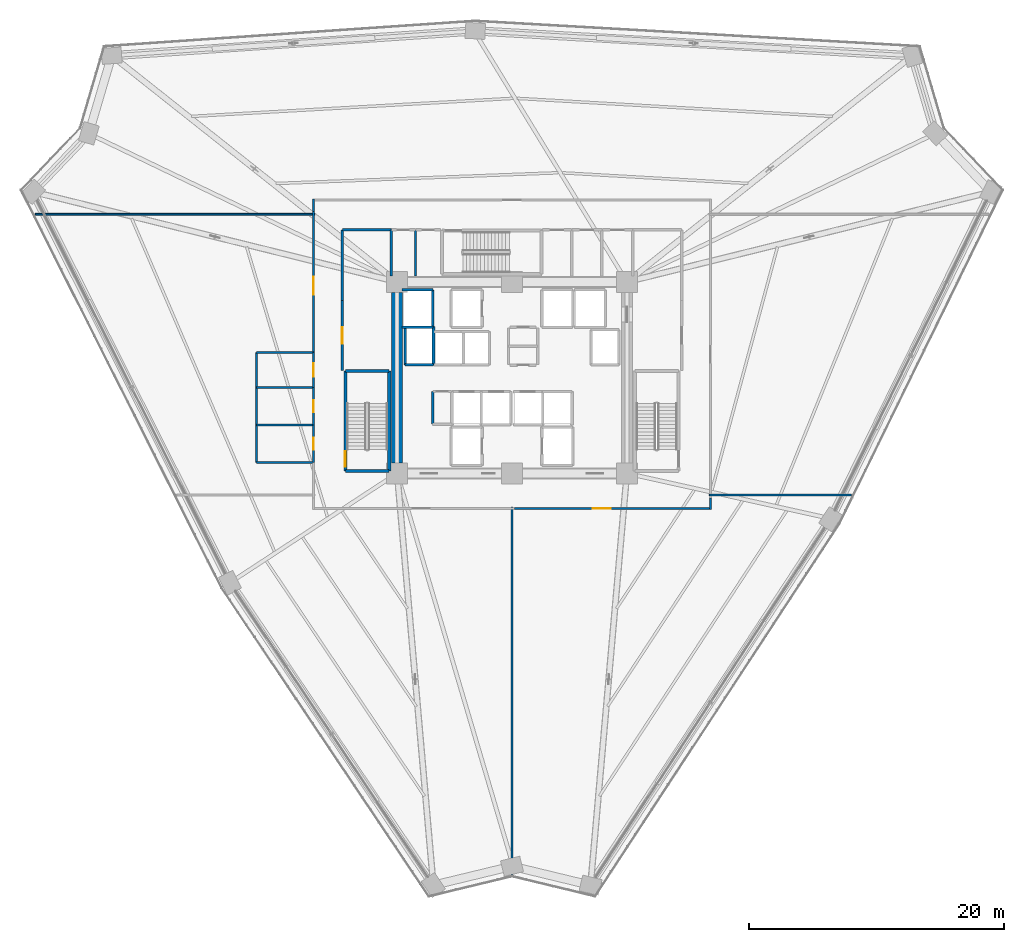
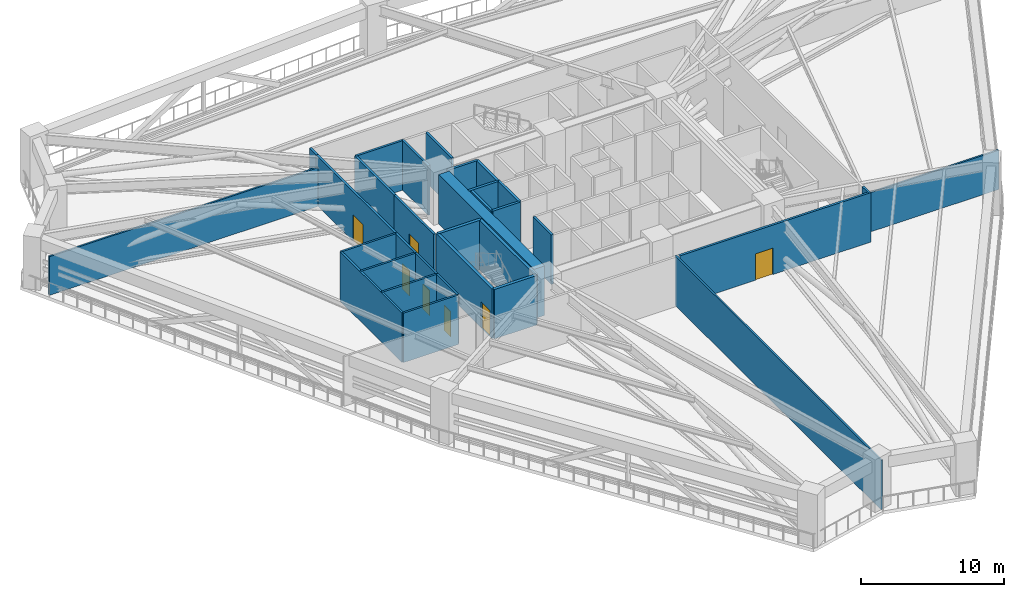
# One storey, part 17 of 25: 32 walls, 7 doors, 7 openings.
"""IFC4 building model written with IfcOpenShell, lengths in metres."""

from ifc_helpers import new_model, si_unit, direction, frame, frame_2d, origin, place, context, subcontext, project, spatial, rectangle, extrude, source, transform, mapped, material, layer, layer_set, type_object, element, fill, save


model = new_model("IFC4")

# Units and contexts
model_context = context("Model", 3, precision=1e-05, world=origin(), true_north=direction((0.0, 1.0)))
body_context = subcontext(model_context, "Body", "Model", "MODEL_VIEW")
ifc_project = project(units=[si_unit("LENGTHUNIT", "METRE"), si_unit("AREAUNIT", "SQUARE_METRE"), si_unit("VOLUMEUNIT", "CUBIC_METRE"), si_unit("PLANEANGLEUNIT", "RADIAN"), si_unit("MASSUNIT", "GRAM", prefix="KILO")], contexts=[model_context])

# Site, building, storey
site_placement = place(None, origin())
site = spatial("IfcSite", under=ifc_project, at=site_placement, CompositionType="ELEMENT")
building_placement = place(site_placement, origin())
building = spatial("IfcBuilding", under=site, at=building_placement, Name="Liaohun Quay Tower", CompositionType="ELEMENT")
storey_placement = place(building_placement, frame((0.0, 0.0, 93.0)))
storey = spatial("IfcBuildingStorey", under=building, at=storey_placement, Name="L24", CompositionType="ELEMENT", Elevation=93.0)

# Wall
ifc_material_1 = material(Name="Concrete C60", Category="concrete")
ifc_layer_1 = layer(ifc_material_1, 0.85009765625, Name="Concrete C60", Category="concrete")
ifc_layer_set_1 = layer_set([ifc_layer_1], Name="Concrete C60")
wall_type_1 = type_object("IfcWallType", Name="WAL-COR-Z1", PredefinedType="SHEAR", material=ifc_layer_set_1)
wall_1_placement = place(storey_placement, frame((51.0, 47.324951171875, 0.0), z_axis=(0.0, 0.0, 1.0), x_axis=(0.0, 1.0, 0.0)))
element("IfcWall", 1, at=wall_1_placement, inside=storey, type_object=wall_type_1, Name="L24 Central Core Shear Wall W", PredefinedType="SHEAR", context=body_context, shape_type="SweptSolid", body=[
    extrude(rectangle(XDim=13.35009765625, YDim=0.85009765625, at=frame_2d((6.675048828125, 0.0))), origin(), (0.0, 0.0, 1.0), 4.219970703125),
])

# Wall, opening, door
ifc_material_2 = material(Name="Autoclaved aerated concrete blockwork", Category="masonry")
ifc_layer_2 = layer(ifc_material_2, 0.179931640625, Name="Autoclaved aerated concrete blockwork", Category="masonry")
ifc_layer_set_2 = layer_set([ifc_layer_2], Name="Autoclaved aerated concrete blockwork")
wall_type_2 = type_object("IfcWallType", Name="WAL-PRT-COR", PredefinedType="PARTITIONING", material=ifc_layer_set_2)
wall_2_placement = place(storey_placement, frame((46.699951171875, 54.5400390625, 0.0), z_axis=(0.0, 0.0, 1.0), x_axis=(0.0, 1.0, 0.0)))
wall_2 = element("IfcWall", 2, at=wall_2_placement, inside=storey, type_object=wall_type_2, Name="L24 Interior Partition Wall 012", PredefinedType="PARTITIONING", context=body_context, shape_type="SweptSolid", body=[
    extrude(rectangle(XDim=5.52001953125, YDim=0.179931640625, at=frame_2d((2.760009765625, 0.0))), origin(), (0.0, 0.0, 1.0), 4.219970703125),
])
shared_shape_1 = source(origin(), body_context, "Body", "SweptSolid", [
    extrude(rectangle(XDim=1.300048828125, YDim=2.199951171875, at=frame_2d((0.64990234375, 1.10009765625))), frame((0.0, 0.099853515625, 0.0), z_axis=(0.0, -1.0, 0.0), x_axis=(1.0, 0.0, 0.0)), (0.0, 0.0, 1.0), 0.199951171875),
])
opening_1_placement = place(wall_2_placement, frame((2.110107421875, 0.0, 0.0)))
opening_1 = element("IfcOpeningElement", 3, at=opening_1_placement, cuts=wall_2, Name="Opening FD1", PredefinedType="OPENING", context=body_context, shape_type="MappedRepresentation", body=[
    mapped(shared_shape_1, transform((0.0, 0.0, 0.0), x_axis=(1.0, 0.0, 0.0), y_axis=(0.0, 1.0, 0.0), z_axis=(0.0, 0.0, 1.0), scale=1.0)),
])
ifc_material_3 = material(Name="Galvanised steel smokeproof fire door", Category="steel")
door_type_1 = type_object("IfcDoorType", Name="DOR-FFL-1300", OperationType="NOTDEFINED", PredefinedType="DOOR", material=ifc_material_3)
shared_shape_2 = source(origin(), body_context, "Body", "SweptSolid", [
    extrude(rectangle(XDim=1.300048828125, YDim=2.199951171875, at=frame_2d((0.64990234375, 1.10009765625))), frame((0.0, 0.02490234375, 0.0), z_axis=(0.0, -1.0, 0.0), x_axis=(1.0, 0.0, 0.0)), (0.0, 0.0, 1.0), 0.050048828125),
])
door_1_placement = place(opening_1_placement, origin())
door_1 = element("IfcDoor", 4, at=door_1_placement, inside=storey, type_object=door_type_1, Name="L24 West Core Vestibule Door", OperationType="SINGLE_SWING_RIGHT", OverallHeight=2.199951171875, OverallWidth=1.300048828125, PredefinedType="DOOR", context=body_context, shape_type="MappedRepresentation", body=[
    mapped(shared_shape_2, transform((0.0, 0.0, 0.0), x_axis=(1.0, 0.0, 0.0), y_axis=(0.0, 1.0, 0.0), z_axis=(0.0, 0.0, 1.0), scale=1.0)),
])
fill(opening_1, door_1)

wall_3_placement = place(storey_placement, frame((44.43994140625, 55.97998046875, 0.0), z_axis=(0.0, 0.0, 1.0), x_axis=(0.0, 1.0, 0.0)))
wall_3 = element("IfcWall", 5, at=wall_3_placement, inside=storey, type_object=wall_type_2, Name="L24 Interior Partition Wall 016", PredefinedType="PARTITIONING", context=body_context, shape_type="SweptSolid", body=[
    extrude(rectangle(XDim=11.034912109375, YDim=0.179931640625, at=frame_2d((5.517578125, 0.0))), origin(), (0.0, 0.0, 1.0), 4.219970703125),
])
shared_shape_3 = source(origin(), body_context, "Body", "SweptSolid", [
    extrude(rectangle(XDim=1.39990234375, YDim=2.25, at=frame_2d((0.699951171875, 1.125))), frame((0.0, 0.099853515625, 0.0), z_axis=(0.0, -1.0, 0.0), x_axis=(1.0, 0.0, 0.0)), (0.0, 0.0, 1.0), 0.199951171875),
])
opening_2_placement = place(wall_3_placement, frame((4.51806640625, 0.0, 0.0)))
opening_2 = element("IfcOpeningElement", 6, at=opening_2_placement, cuts=wall_3, Name="Opening MD1", PredefinedType="OPENING", context=body_context, shape_type="MappedRepresentation", body=[
    mapped(shared_shape_3, transform((0.0, 0.0, 0.0), x_axis=(1.0, 0.0, 0.0), y_axis=(0.0, 1.0, 0.0), z_axis=(0.0, 0.0, 1.0), scale=1.0)),
])
ifc_material_4 = material(Name="Insulated steel plant room door", Category="steel")
door_type_2 = type_object("IfcDoorType", Name="DOR-MEP-1400", OperationType="DOUBLE_DOOR_SINGLE_SWING", PredefinedType="DOOR", material=ifc_material_4)
shared_shape_4 = source(origin(), body_context, "Body", "SweptSolid", [
    extrude(rectangle(XDim=1.39990234375, YDim=2.25, at=frame_2d((0.699951171875, 1.125))), frame((0.0, 0.02490234375, 0.0), z_axis=(0.0, -1.0, 0.0), x_axis=(1.0, 0.0, 0.0)), (0.0, 0.0, 1.0), 0.050048828125),
])
door_2_placement = place(opening_2_placement, origin())
door_2 = element("IfcDoor", 7, at=door_2_placement, inside=storey, type_object=door_type_2, Name="L24 West Air Handling Unit Plant Room Door", OperationType="DOUBLE_DOOR_SINGLE_SWING", OverallHeight=2.25, OverallWidth=1.39990234375, PredefinedType="DOOR", context=body_context, shape_type="MappedRepresentation", body=[
    mapped(shared_shape_4, transform((0.0, 0.0, 0.0), x_axis=(1.0, 0.0, 0.0), y_axis=(0.0, 1.0, 0.0), z_axis=(0.0, 0.0, 1.0), scale=1.0)),
])
fill(opening_2, door_2)

wall_4_placement = place(storey_placement, frame((75.6298828125, 43.739990234375, 0.0), z_axis=(0.0, 0.0, 1.0), x_axis=(-1.0, 0.0, 0.0)))
wall_4 = element("IfcWall", 8, at=wall_4_placement, inside=storey, type_object=wall_type_2, Name="L24 Interior Partition Wall 018", PredefinedType="PARTITIONING", context=body_context, shape_type="SweptSolid", body=[
    extrude(rectangle(XDim=15.414794921875, YDim=0.179931640625, at=frame_2d((7.70751953125, 0.0))), origin(), (0.0, 0.0, 1.0), 4.219970703125),
])
opening_3_placement = place(wall_4_placement, frame((7.906982421875, 0.0, 0.0)))
opening_3 = element("IfcOpeningElement", 9, at=opening_3_placement, cuts=wall_4, Name="Opening MD1", PredefinedType="OPENING", context=body_context, shape_type="MappedRepresentation", body=[
    mapped(shared_shape_3, transform((0.0, 0.0, 0.0), x_axis=(1.0, 0.0, 0.0), y_axis=(0.0, 1.0, 0.0), z_axis=(0.0, 0.0, 1.0), scale=1.0)),
])
door_3_placement = place(opening_3_placement, origin())
door_3 = element("IfcDoor", 10, at=door_3_placement, inside=storey, type_object=door_type_2, Name="L24 East Booster Water Pump and Tank Plant Room Door", OperationType="DOUBLE_DOOR_SINGLE_SWING", OverallHeight=2.25, OverallWidth=1.39990234375, PredefinedType="DOOR", context=body_context, shape_type="MappedRepresentation", body=[
    mapped(shared_shape_4, transform((0.0, 0.0, 0.0), x_axis=(1.0, 0.0, 0.0), y_axis=(0.0, 1.0, 0.0), z_axis=(0.0, 0.0, 1.0), scale=1.0)),
])
fill(opening_3, door_3)

# Walls
wall_5_placement = place(storey_placement, frame((53.7900390625, 50.35009765625, 0.0), z_axis=(0.0, 0.0, 1.0), x_axis=(0.0, 1.0, 0.0)))
element("IfcWall", 11, at=wall_5_placement, inside=storey, type_object=wall_type_2, Name="L24 Interior Partition Wall 022", PredefinedType="PARTITIONING", context=body_context, shape_type="SweptSolid", body=[
    extrude(rectangle(XDim=2.56982421875, YDim=0.179931640625, at=frame_2d((1.284912109375, 0.0))), origin(), (0.0, 0.0, 1.0), 4.219970703125),
])
for number, where, z_axis, x_axis, name in (
    (12, (50.5400390625, 61.949951171875, 0.0), (0.0, 0.0, 1.0), (0.0, 1.0, 0.0), "L24 Interior Partition Wall 029"),
    (13, (52.43994140625, 61.949951171875, 0.0), (0.0, 0.0, 1.0), (0.0, 1.0, 0.0), "L24 Interior Partition Wall 030"),
):
    element("IfcWall", number, at=place(storey_placement, frame(where, z_axis=z_axis, x_axis=x_axis)), inside=storey, type_object=wall_type_2, Name=name, PredefinedType="PARTITIONING", context=body_context, shape_type="SweptSolid", body=[
        extrude(rectangle(XDim=3.630126953125, YDim=0.179931640625, at=frame_2d((1.81494140625, 0.0))), origin(), (0.0, 0.0, 1.0), 4.219970703125),
    ])
wall_6_placement = place(storey_placement, frame((46.699951171875, 65.580078125, 0.0), z_axis=(0.0, 0.0, 1.0), x_axis=(1.0, 0.0, 0.0)))
element("IfcWall", 14, at=wall_6_placement, inside=storey, type_object=wall_type_2, Name="L24 Interior Partition Wall 034", PredefinedType="PARTITIONING", context=body_context, shape_type="SweptSolid", body=[
    extrude(rectangle(XDim=3.840087890625, YDim=0.179931640625, at=frame_2d((1.919921875, 0.0))), origin(), (0.0, 0.0, 1.0), 4.219970703125),
])
wall_7_placement = place(storey_placement, frame((46.699951171875, 60.06005859375, 0.0), z_axis=(0.0, 0.0, 1.0), x_axis=(0.0, 1.0, 0.0)))
element("IfcWall", 15, at=wall_7_placement, inside=storey, type_object=wall_type_2, Name="L24 Interior Partition Wall 036", PredefinedType="PARTITIONING", context=body_context, shape_type="SweptSolid", body=[
    extrude(rectangle(XDim=5.52001953125, YDim=0.179931640625, at=frame_2d((2.760009765625, 0.0))), origin(), (0.0, 0.0, 1.0), 4.219970703125),
])
wall_8_placement = place(storey_placement, frame((44.43994140625, 67.014892578125, 0.0), z_axis=(0.0, 0.0, 1.0), x_axis=(0.0, 1.0, 0.0)))
element("IfcWall", 16, at=wall_8_placement, inside=storey, type_object=wall_type_2, Name="L24 Interior Partition Wall 038", PredefinedType="PARTITIONING", context=body_context, shape_type="SweptSolid", body=[
    extrude(rectangle(XDim=0.965087890625, YDim=0.179931640625, at=frame_2d((0.482421875, 0.0))), origin(), (0.0, 0.0, 1.0), 4.219970703125),
])
wall_9_placement = place(storey_placement, frame((75.56005859375, 44.5849609375, 0.0), z_axis=(0.0, 0.0, 1.0), x_axis=(0.0, -1.0, 0.0)))
element("IfcWall", 17, at=wall_9_placement, inside=storey, type_object=wall_type_2, Name="L24 Interior Partition Wall 042", PredefinedType="PARTITIONING", context=body_context, shape_type="SweptSolid", body=[
    extrude(rectangle(XDim=0.9150390625, YDim=0.179931640625, at=frame_2d((0.45751953125, 0.0))), origin(), (0.0, 0.0, 1.0), 4.219970703125),
])
ifc_material_5 = material(Name="Gypsum board on twin steel studs", Category="steel")
ifc_layer_3 = layer(ifc_material_5, 0.139892578125, Name="Gypsum board on twin steel studs", Category="steel")
ifc_layer_set_3 = layer_set([ifc_layer_3], Name="Gypsum board on twin steel studs")
wall_type_3 = type_object("IfcWallType", Name="WAL-PRT-OFF", PredefinedType="PARTITIONING", material=ifc_layer_set_3)
wall_10_placement = place(storey_placement, frame((75.4599609375, 44.800048828125, 0.0), z_axis=(0.0, 0.0, 1.0), x_axis=(1.0, 0.0, 0.0)))
element("IfcWall", 18, at=wall_10_placement, inside=storey, type_object=wall_type_3, Name="L24 Interior Partition Wall 044", PredefinedType="PARTITIONING", context=body_context, shape_type="SweptSolid", body=[
    extrude(rectangle(XDim=11.135986328125, YDim=0.139892578125, at=frame_2d((5.56787109375, 0.0))), origin(), (0.0, 0.0, 1.0), 3.35498046875),
])
wall_11_placement = place(storey_placement, frame((44.5400390625, 66.800048828125, 0.0), z_axis=(0.0, 0.0, 1.0), x_axis=(-1.0, 0.0, 0.0)))
element("IfcWall", 19, at=wall_11_placement, inside=storey, type_object=wall_type_3, Name="L24 Interior Partition Wall 045", PredefinedType="PARTITIONING", context=body_context, shape_type="SweptSolid", body=[
    extrude(rectangle(XDim=21.882080078125, YDim=0.139892578125, at=frame_2d((10.94091796875, 0.0))), origin(), (0.0, 0.0, 1.0), 3.304931640625),
])
wall_12_placement = place(storey_placement, frame((60.0, 43.840087890625, 0.0), z_axis=(0.0, 0.0, 1.0), x_axis=(0.0, -1.0, 0.0)))
element("IfcWall", 20, at=wall_12_placement, inside=storey, type_object=wall_type_3, Name="L24 Interior Partition Wall 047", PredefinedType="PARTITIONING", context=body_context, shape_type="SweptSolid", body=[
    extrude(rectangle(XDim=28.773193359375, YDim=0.139892578125, at=frame_2d((14.38671875, 0.0))), origin(), (0.0, 0.0, 1.0), 4.219970703125),
])

# Wall, opening, door
ifc_material_6 = material(Name="Moisture-resistant masonry blockwork", Category="masonry")
ifc_layer_4 = layer(ifc_material_6, 0.159912109375, Name="Moisture-resistant masonry blockwork", Category="masonry")
ifc_layer_set_4 = layer_set([ifc_layer_4], Name="Moisture-resistant masonry blockwork")
wall_type_4 = type_object("IfcWallType", Name="WAL-PRT-WET", PredefinedType="PARTITIONING", material=ifc_layer_set_4)
wall_13_placement = place(storey_placement, frame((44.43994140625, 47.340087890625, 0.0), z_axis=(0.0, 0.0, 1.0), x_axis=(0.0, 1.0, 0.0)))
wall_13 = element("IfcWall", 21, at=wall_13_placement, inside=storey, type_object=wall_type_4, Name="L24 Interior Partition Wall 004", PredefinedType="PARTITIONING", context=body_context, shape_type="SweptSolid", body=[
    extrude(rectangle(XDim=2.93994140625, YDim=0.159912109375, at=frame_2d((1.469970703125, 0.0))), origin(), (0.0, 0.0, 1.0), 4.219970703125),
])
shared_shape_5 = source(origin(), body_context, "Body", "SweptSolid", [
    extrude(rectangle(XDim=0.949951171875, YDim=2.14990234375, at=frame_2d((0.47509765625, 1.074951171875))), frame((0.0, 0.08984375, 0.0), z_axis=(0.0, -1.0, 0.0), x_axis=(1.0, 0.0, 0.0)), (0.0, 0.0, 1.0), 0.179931640625),
])
opening_4_placement = place(wall_13_placement, frame((0.9951171875, 0.0, 0.0)))
opening_4 = element("IfcOpeningElement", 22, at=opening_4_placement, cuts=wall_13, Name="Opening WD1", PredefinedType="OPENING", context=body_context, shape_type="MappedRepresentation", body=[
    mapped(shared_shape_5, transform((0.0, 0.0, 0.0), x_axis=(1.0, 0.0, 0.0), y_axis=(0.0, 1.0, 0.0), z_axis=(0.0, 0.0, 1.0), scale=1.0)),
])
ifc_material_7 = material(Name="Moisture-resistant laminate timber leaf", Category="wood")
door_type_3 = type_object("IfcDoorType", Name="DOR-WC-950", OperationType="NOTDEFINED", PredefinedType="DOOR", material=ifc_material_7)
shared_shape_6 = source(origin(), body_context, "Body", "SweptSolid", [
    extrude(rectangle(XDim=0.949951171875, YDim=2.14990234375, at=frame_2d((0.47509765625, 1.074951171875))), frame((0.0, 0.02490234375, 0.0), z_axis=(0.0, -1.0, 0.0), x_axis=(1.0, 0.0, 0.0)), (0.0, 0.0, 1.0), 0.050048828125),
])
door_4_placement = place(opening_4_placement, origin())
door_4 = element("IfcDoor", 23, at=door_4_placement, inside=storey, type_object=door_type_3, Name="L24 Male Restroom WC Door", OperationType="SINGLE_SWING_RIGHT", OverallHeight=2.14990234375, OverallWidth=0.949951171875, PredefinedType="DOOR", context=body_context, shape_type="MappedRepresentation", body=[
    mapped(shared_shape_6, transform((0.0, 0.0, 0.0), x_axis=(1.0, 0.0, 0.0), y_axis=(0.0, 1.0, 0.0), z_axis=(0.0, 0.0, 1.0), scale=1.0)),
])
fill(opening_4, door_4)

wall_14_placement = place(storey_placement, frame((44.43994140625, 50.280029296875, 0.0), z_axis=(0.0, 0.0, 1.0), x_axis=(0.0, 1.0, 0.0)))
wall_14 = element("IfcWall", 24, at=wall_14_placement, inside=storey, type_object=wall_type_4, Name="L24 Interior Partition Wall 005", PredefinedType="PARTITIONING", context=body_context, shape_type="SweptSolid", body=[
    extrude(rectangle(XDim=2.9599609375, YDim=0.159912109375, at=frame_2d((1.47998046875, 0.0))), origin(), (0.0, 0.0, 1.0), 4.219970703125),
])
opening_5_placement = place(wall_14_placement, frame((1.0048828125, 0.0, 0.0)))
opening_5 = element("IfcOpeningElement", 25, at=opening_5_placement, cuts=wall_14, Name="Opening WD1", PredefinedType="OPENING", context=body_context, shape_type="MappedRepresentation", body=[
    mapped(shared_shape_5, transform((0.0, 0.0, 0.0), x_axis=(1.0, 0.0, 0.0), y_axis=(0.0, 1.0, 0.0), z_axis=(0.0, 0.0, 1.0), scale=1.0)),
])
door_5_placement = place(opening_5_placement, origin())
door_5 = element("IfcDoor", 26, at=door_5_placement, inside=storey, type_object=door_type_3, Name="L24 Female Restroom WC Door", OperationType="SINGLE_SWING_LEFT", OverallHeight=2.14990234375, OverallWidth=0.949951171875, PredefinedType="DOOR", context=body_context, shape_type="MappedRepresentation", body=[
    mapped(shared_shape_6, transform((0.0, 0.0, 0.0), x_axis=(1.0, 0.0, 0.0), y_axis=(0.0, 1.0, 0.0), z_axis=(0.0, 0.0, 1.0), scale=1.0)),
])
fill(opening_5, door_5)

wall_15_placement = place(storey_placement, frame((44.43994140625, 53.239990234375, 0.0), z_axis=(0.0, 0.0, 1.0), x_axis=(0.0, 1.0, 0.0)))
wall_15 = element("IfcWall", 27, at=wall_15_placement, inside=storey, type_object=wall_type_4, Name="L24 Interior Partition Wall 006", PredefinedType="PARTITIONING", context=body_context, shape_type="SweptSolid", body=[
    extrude(rectangle(XDim=2.739990234375, YDim=0.159912109375, at=frame_2d((1.3701171875, 0.0))), origin(), (0.0, 0.0, 1.0), 4.219970703125),
])
shared_shape_7 = source(origin(), body_context, "Body", "SweptSolid", [
    extrude(rectangle(XDim=1.050048828125, YDim=2.14990234375, at=frame_2d((0.52490234375, 1.074951171875))), frame((0.0, 0.08984375, 0.0), z_axis=(0.0, -1.0, 0.0), x_axis=(1.0, 0.0, 0.0)), (0.0, 0.0, 1.0), 0.179931640625),
])
opening_6_placement = place(wall_15_placement, frame((0.844970703125, 0.0, 0.0)))
opening_6 = element("IfcOpeningElement", 28, at=opening_6_placement, cuts=wall_15, Name="Opening WD2", PredefinedType="OPENING", context=body_context, shape_type="MappedRepresentation", body=[
    mapped(shared_shape_7, transform((0.0, 0.0, 0.0), x_axis=(1.0, 0.0, 0.0), y_axis=(0.0, 1.0, 0.0), z_axis=(0.0, 0.0, 1.0), scale=1.0)),
])
ifc_material_8 = material(Name="Accessible outward-swinging laminate door")
door_type_4 = type_object("IfcDoorType", Name="DOR-AWC-1050", OperationType="NOTDEFINED", PredefinedType="DOOR", material=ifc_material_8)
shared_shape_8 = source(origin(), body_context, "Body", "SweptSolid", [
    extrude(rectangle(XDim=1.050048828125, YDim=2.14990234375, at=frame_2d((0.52490234375, 1.074951171875))), frame((0.0, 0.02490234375, 0.0), z_axis=(0.0, -1.0, 0.0), x_axis=(1.0, 0.0, 0.0)), (0.0, 0.0, 1.0), 0.050048828125),
])
door_6_placement = place(opening_6_placement, origin())
door_6 = element("IfcDoor", 29, at=door_6_placement, inside=storey, type_object=door_type_4, Name="L24 Accessible WC Door", OperationType="SINGLE_SWING_RIGHT", OverallHeight=2.14990234375, OverallWidth=1.050048828125, PredefinedType="DOOR", context=body_context, shape_type="MappedRepresentation", body=[
    mapped(shared_shape_8, transform((0.0, 0.0, 0.0), x_axis=(1.0, 0.0, 0.0), y_axis=(0.0, 1.0, 0.0), z_axis=(0.0, 0.0, 1.0), scale=1.0)),
])
fill(opening_6, door_6)

# Walls
wall_16_placement = place(storey_placement, frame((39.97998046875, 47.340087890625, 0.0), z_axis=(0.0, 0.0, 1.0), x_axis=(0.0, 1.0, 0.0)))
element("IfcWall", 30, at=wall_16_placement, inside=storey, type_object=wall_type_4, Name="L24 Interior Partition Wall 024", PredefinedType="PARTITIONING", context=body_context, shape_type="SweptSolid", body=[
    extrude(rectangle(XDim=8.639892578125, YDim=0.159912109375, at=frame_2d((4.31982421875, 0.0))), origin(), (0.0, 0.0, 1.0), 4.219970703125),
])
for number, where, z_axis, x_axis, name in (
    (31, (39.97998046875, 47.340087890625, 0.0), (0.0, 0.0, 1.0), (1.0, 0.0, 0.0), "L24 Interior Partition Wall 025"),
    (32, (39.97998046875, 50.280029296875, 0.0), (0.0, 0.0, 1.0), (1.0, 0.0, 0.0), "L24 Interior Partition Wall 026"),
    (33, (39.97998046875, 53.239990234375, 0.0), (0.0, 0.0, 1.0), (1.0, 0.0, 0.0), "L24 Interior Partition Wall 027"),
    (34, (39.97998046875, 55.97998046875, 0.0), (0.0, 0.0, 1.0), (1.0, 0.0, 0.0), "L24 Interior Partition Wall 028"),
):
    element("IfcWall", number, at=place(storey_placement, frame(where, z_axis=z_axis, x_axis=x_axis)), inside=storey, type_object=wall_type_4, Name=name, PredefinedType="PARTITIONING", context=body_context, shape_type="SweptSolid", body=[
        extrude(rectangle(XDim=4.4599609375, YDim=0.159912109375, at=frame_2d((2.22998046875, 0.0))), origin(), (0.0, 0.0, 1.0), 4.219970703125),
    ])
ifc_material_9 = material(Name="Concrete C50", Category="concrete")
ifc_layer_5 = layer(ifc_material_9, 0.239990234375, Name="Concrete C50", Category="concrete")
ifc_layer_set_5 = layer_set([ifc_layer_5], Name="Concrete C50")
wall_type_5 = type_object("IfcWallType", Name="WAL-SHF-200", PredefinedType="SOLIDWALL", material=ifc_layer_set_5)
wall_17_placement = place(storey_placement, frame((46.93994140625, 46.699951171875, 0.0), z_axis=(0.0, 0.0, 1.0), x_axis=(1.0, 0.0, 0.0)))
element("IfcWall", 35, at=wall_17_placement, inside=storey, type_object=wall_type_5, Name="L24 Stairwell ST-1 Structural Core Wall S", PredefinedType="SOLIDWALL", context=body_context, shape_type="SweptSolid", body=[
    extrude(rectangle(XDim=3.43994140625, YDim=0.239990234375, at=frame_2d((1.719970703125, 0.0))), origin(), (0.0, 0.0, 1.0), 4.219970703125),
])
wall_18_placement = place(storey_placement, frame((50.3798828125, 46.699951171875, 0.0), z_axis=(0.0, 0.0, 1.0), x_axis=(0.0, 1.0, 0.0)))
element("IfcWall", 36, at=wall_18_placement, inside=storey, type_object=wall_type_5, Name="L24 Stairwell ST-1 Structural Core Wall E", PredefinedType="SOLIDWALL", context=body_context, shape_type="SweptSolid", body=[
    extrude(rectangle(XDim=7.820068359375, YDim=0.239990234375, at=frame_2d((3.91015625, 0.0))), origin(), (0.0, 0.0, 1.0), 4.219970703125),
])
wall_19_placement = place(storey_placement, frame((50.3798828125, 54.52001953125, 0.0), z_axis=(0.0, 0.0, 1.0), x_axis=(-1.0, 0.0, 0.0)))
element("IfcWall", 37, at=wall_19_placement, inside=storey, type_object=wall_type_5, Name="L24 Stairwell ST-1 Structural Core Wall N", PredefinedType="SOLIDWALL", context=body_context, shape_type="SweptSolid", body=[
    extrude(rectangle(XDim=3.43994140625, YDim=0.239990234375, at=frame_2d((1.719970703125, 0.0))), origin(), (0.0, 0.0, 1.0), 4.219970703125),
])

# Wall, opening, door
wall_20_placement = place(storey_placement, frame((46.93994140625, 54.52001953125, 0.0), z_axis=(0.0, 0.0, 1.0), x_axis=(0.0, -1.0, 0.0)))
wall_20 = element("IfcWall", 38, at=wall_20_placement, inside=storey, type_object=wall_type_5, Name="L24 Stairwell ST-1 Structural Core Wall W", PredefinedType="SOLIDWALL", context=body_context, shape_type="SweptSolid", body=[
    extrude(rectangle(XDim=7.820068359375, YDim=0.239990234375, at=frame_2d((3.91015625, 0.0))), origin(), (0.0, 0.0, 1.0), 4.219970703125),
])
shared_shape_9 = source(origin(), body_context, "Body", "SweptSolid", [
    extrude(rectangle(XDim=1.199951171875, YDim=2.199951171875, at=frame_2d((0.60009765625, 1.10009765625))), frame((0.0, 0.1298828125, 0.0), z_axis=(0.0, -1.0, 0.0), x_axis=(1.0, 0.0, 0.0)), (0.0, 0.0, 1.0), 0.260009765625),
])
opening_7_placement = place(wall_20_placement, frame((6.300048828125, 0.0, 0.0)))
opening_7 = element("IfcOpeningElement", 39, at=opening_7_placement, cuts=wall_20, Name="Opening SD1", PredefinedType="OPENING", context=body_context, shape_type="MappedRepresentation", body=[
    mapped(shared_shape_9, transform((0.0, 0.0, 0.0), x_axis=(1.0, 0.0, 0.0), y_axis=(0.0, 1.0, 0.0), z_axis=(0.0, 0.0, 1.0), scale=1.0)),
])
ifc_material_10 = material(Name="Galvanised steel fire door", Category="steel")
door_type_5 = type_object("IfcDoorType", Name="DOR-STR-1200", OperationType="NOTDEFINED", PredefinedType="DOOR", material=ifc_material_10)
shared_shape_10 = source(origin(), body_context, "Body", "SweptSolid", [
    extrude(rectangle(XDim=1.199951171875, YDim=2.199951171875, at=frame_2d((0.60009765625, 1.10009765625))), frame((0.0, 0.02490234375, 0.0), z_axis=(0.0, -1.0, 0.0), x_axis=(1.0, 0.0, 0.0)), (0.0, 0.0, 1.0), 0.050048828125),
])
door_7_placement = place(opening_7_placement, origin())
door_7 = element("IfcDoor", 40, at=door_7_placement, inside=storey, type_object=door_type_5, Name="L24 Protected Stair ST-1 Fire Door", OperationType="SINGLE_SWING_LEFT", OverallHeight=2.199951171875, OverallWidth=1.199951171875, PredefinedType="DOOR", context=body_context, shape_type="MappedRepresentation", body=[
    mapped(shared_shape_10, transform((0.0, 0.0, 0.0), x_axis=(1.0, 0.0, 0.0), y_axis=(0.0, 1.0, 0.0), z_axis=(0.0, 0.0, 1.0), scale=1.0)),
])
fill(opening_7, door_7)

# Walls
wall_21_placement = place(storey_placement, frame((51.39990234375, 57.949951171875, 0.0), z_axis=(0.0, 0.0, 1.0), x_axis=(1.0, 0.0, 0.0)))
element("IfcWall", 41, at=wall_21_placement, inside=storey, type_object=wall_type_5, Name="L24 Lift SH-01 Hoistway Wall S", PredefinedType="SOLIDWALL", context=body_context, shape_type="SweptSolid", body=[
    extrude(rectangle(XDim=2.400146484375, YDim=0.199951171875, at=frame_2d((1.2001953125, 0.0))), origin(), (0.0, 0.0, 1.0), 4.219970703125),
])
wall_22_placement = place(storey_placement, frame((53.800048828125, 57.949951171875, 0.0), z_axis=(0.0, 0.0, 1.0), x_axis=(0.0, 1.0, 0.0)))
element("IfcWall", 42, at=wall_22_placement, inside=storey, type_object=wall_type_5, Name="L24 Lift SH-01 Hoistway Wall E", PredefinedType="SOLIDWALL", context=body_context, shape_type="SweptSolid", body=[
    extrude(rectangle(XDim=2.929931640625, YDim=0.199951171875, at=frame_2d((1.46484375, 0.0))), origin(), (0.0, 0.0, 1.0), 4.219970703125),
])
wall_23_placement = place(storey_placement, frame((53.800048828125, 60.8798828125, 0.0), z_axis=(0.0, 0.0, 1.0), x_axis=(-1.0, 0.0, 0.0)))
element("IfcWall", 43, at=wall_23_placement, inside=storey, type_object=wall_type_5, Name="L24 Lift SH-01 Hoistway Wall N", PredefinedType="SOLIDWALL", context=body_context, shape_type="SweptSolid", body=[
    extrude(rectangle(XDim=2.400146484375, YDim=0.199951171875, at=frame_2d((1.2001953125, 0.0))), origin(), (0.0, 0.0, 1.0), 4.219970703125),
])
wall_24_placement = place(storey_placement, frame((51.6201171875, 55.0, 0.0), z_axis=(0.0, 0.0, 1.0), x_axis=(1.0, 0.0, 0.0)))
element("IfcWall", 44, at=wall_24_placement, inside=storey, type_object=wall_type_5, Name="L24 Lift SH-02 Hoistway Wall S", PredefinedType="SOLIDWALL", context=body_context, shape_type="SweptSolid", body=[
    extrude(rectangle(XDim=2.22998046875, YDim=0.199951171875, at=frame_2d((1.114990234375, 0.0))), origin(), (0.0, 0.0, 1.0), 4.219970703125),
])
for number, where, z_axis, x_axis, name in (
    (45, (53.85009765625, 55.0, 0.0), (0.0, 0.0, 1.0), (0.0, 1.0, 0.0), "L24 Lift SH-02 Hoistway Wall E"),
    (46, (51.6201171875, 58.0, 0.0), (0.0, 0.0, 1.0), (0.0, -1.0, 0.0), "L24 Lift SH-02 Hoistway Wall W"),
):
    element("IfcWall", number, at=place(storey_placement, frame(where, z_axis=z_axis, x_axis=x_axis)), inside=storey, type_object=wall_type_5, Name=name, PredefinedType="SOLIDWALL", context=body_context, shape_type="SweptSolid", body=[
        extrude(rectangle(XDim=3.0, YDim=0.199951171875, at=frame_2d((1.5, 0.0))), origin(), (0.0, 0.0, 1.0), 4.219970703125),
    ])

save(model, "model.ifc")
